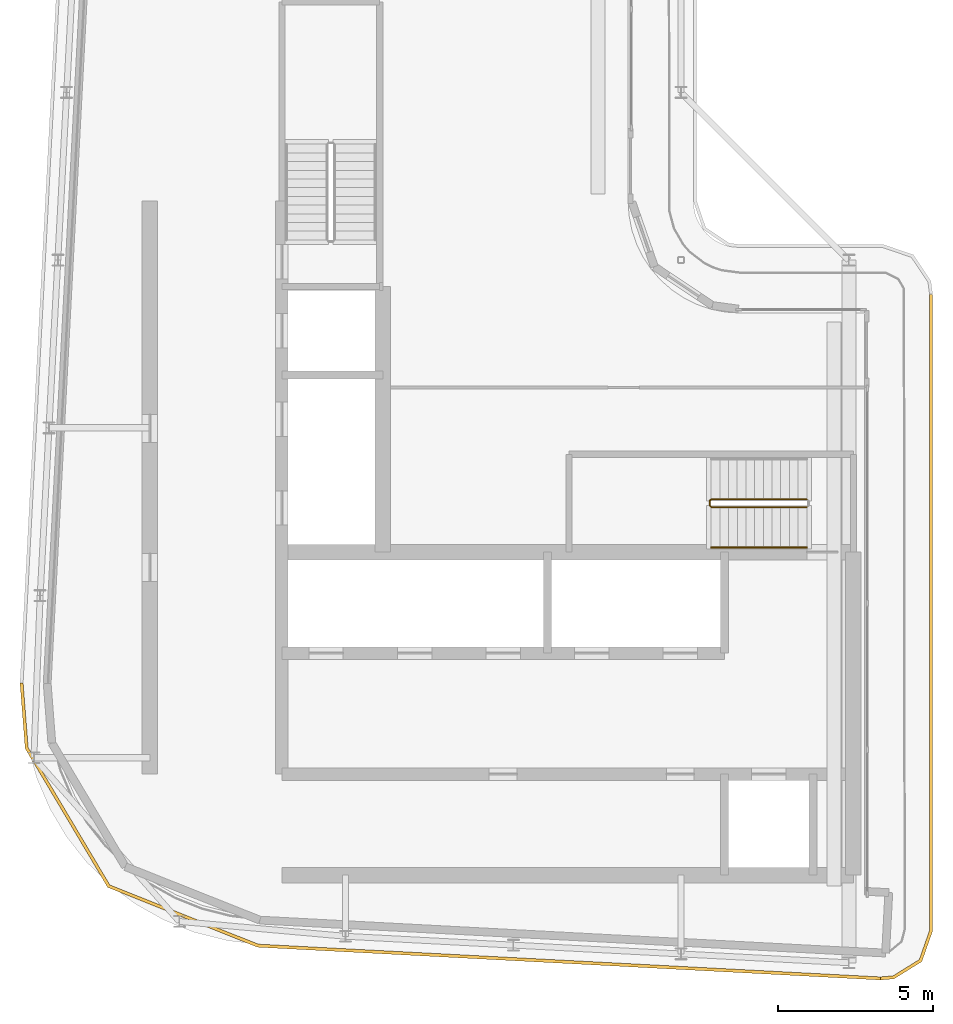
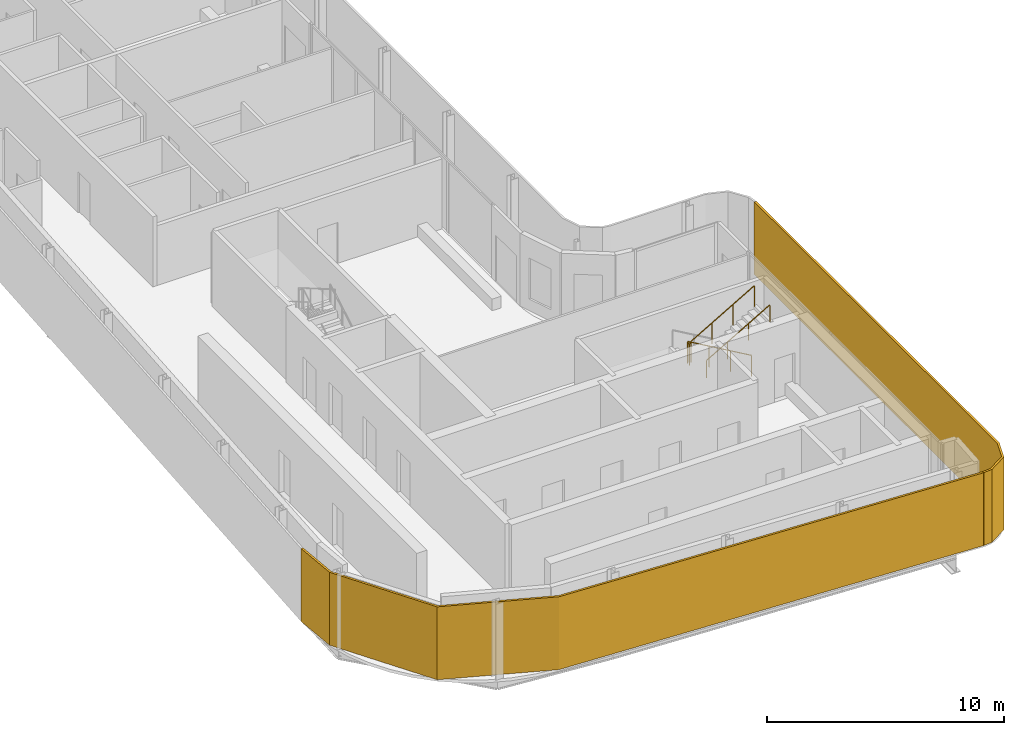
# One storey, part 13 of 18: 2 railings, 2 shading devices.
"""IFC4 building model written with IfcOpenShell, lengths in metres."""

from ifc_helpers import new_model, si_unit, direction, frame, origin, origin_2d, place, context, subcontext, project, spatial, polyline, circle, outline, extrude, material, layer, layer_set, type_object, element, save


model = new_model("IFC4")

# Units and contexts
model_context = context("Model", 3, precision=1e-05, world=origin(), true_north=direction((0.0, 1.0)))
body_context = subcontext(model_context, "Body", "Model", "MODEL_VIEW")
ifc_project = project(units=[si_unit("LENGTHUNIT", "METRE"), si_unit("AREAUNIT", "SQUARE_METRE"), si_unit("VOLUMEUNIT", "CUBIC_METRE"), si_unit("PLANEANGLEUNIT", "RADIAN"), si_unit("MASSUNIT", "GRAM", prefix="KILO")], contexts=[model_context])

# Site, building, storey
site_placement = place(None, origin())
site = spatial("IfcSite", under=ifc_project, at=site_placement, CompositionType="ELEMENT")
building_placement = place(site_placement, origin())
building = spatial("IfcBuilding", under=site, at=building_placement, Name="Kheshtan School and Residences Tower", CompositionType="ELEMENT")
storey_placement = place(building_placement, frame((0.0, 0.0, 369.5)))
storey = spatial("IfcBuildingStorey", under=building, at=storey_placement, Name="L87", CompositionType="ELEMENT", Elevation=369.5)

# Shading devices
ifc_material_1 = material(Name="Terracotta baguette, extruded ceramic", Category="masonry")
ifc_layer_1 = layer(ifc_material_1, 0.10009765625)
ifc_layer_set_1 = layer_set([ifc_layer_1], Name="Ledge screen, terracotta baguettes")
shading_device_type_1 = type_object("IfcShadingDeviceType", Name="Ledge screen, terracotta baguettes", PredefinedType="USERDEFINED", material=ifc_layer_set_1)
shading_device_1_placement = place(storey_placement, origin())
element("IfcShadingDevice", 1, at=shading_device_1_placement, inside=storey, type_object=shading_device_type_1, Name="Screen L87 3", ObjectType="BAGUETTE", PredefinedType="USERDEFINED", context=body_context, shape_type="SweptSolid", body=[
    extrude(outline(polyline([(54.02099609375, 22.52490234375), (33.989013671875, 23.580078125), (29.2119140625, 25.486083984375), (26.583984375, 29.906982421875), (26.419921875, 31.989013671875), (26.320068359375, 31.98095703125), (26.486083984375, 29.8759765625), (29.14306640625, 25.406005859375), (33.967041015625, 23.48095703125), (54.01611328125, 22.425048828125), (54.02099609375, 22.52490234375)])), origin(), (0.0, 0.0, 1.0), 3.75),
])
ifc_material_2 = material(Name="Terracotta lattice, extruded ceramic", Category="masonry")
ifc_layer_2 = layer(ifc_material_2, 0.10009765625)
ifc_layer_set_2 = layer_set([ifc_layer_2], Name="Loggia screen, terracotta lattice")
shading_device_type_2 = type_object("IfcShadingDeviceType", Name="Loggia screen, terracotta lattice", PredefinedType="USERDEFINED", material=ifc_layer_set_2)
shading_device_2_placement = place(storey_placement, origin())
element("IfcShadingDevice", 2, at=shading_device_2_placement, inside=storey, type_object=shading_device_type_2, Name="Screen L87 2", ObjectType="SCREEN", PredefinedType="USERDEFINED", context=body_context, shape_type="SweptSolid", body=[
    extrude(outline(polyline([(55.60009765625, 44.5), (55.60009765625, 24.02294921875), (55.27001953125, 23.083984375), (54.424072265625, 22.55908203125), (54.02099609375, 22.52490234375), (54.029052734375, 22.425048828125), (54.4560546875, 22.4609375), (55.35302734375, 23.01806640625), (55.699951171875, 24.006103515625), (55.699951171875, 44.5), (55.60009765625, 44.5)])), origin(), (0.0, 0.0, 1.0), 3.75),
])

# Railings
ifc_material_3 = material(Name="Stainless steel balustrade", Category="steel")
railing_type_1 = type_object("IfcRailingType", Name="Stair guard 1100", PredefinedType="GUARDRAIL", material=ifc_material_3)
railing_1_placement = place(storey_placement, frame((51.64990234375, 37.89990234375, 0.16259765625)))
element("IfcRailing", 3, at=railing_1_placement, inside=storey, type_object=railing_type_1, Name="L87 ST1 stair guard 1", PredefinedType="GUARDRAIL", context=body_context, shape_type="SweptSolid", body=[
    extrude(circle(Radius=0.02392578125, at=origin_2d()), frame((0.0, 0.0, 1.076171875), z_axis=(-0.864903211148, 0.0, 0.501938676878), x_axis=(0.0, -1.0, 0.0)), (0.0, 0.0, 1.0), 3.560791015625),
    extrude(circle(Radius=0.02392578125, at=origin_2d()), frame((-3.079833984375, 0.0, 2.86328125), z_axis=(-0.708833529934, -0.705375805398, 0.0), x_axis=(0.705375805398, -0.708833529934, 0.0)), (0.0, 0.0, 1.0), 0.070556640625),
    extrude(circle(Radius=0.02392578125, at=origin_2d()), frame((-3.1298828125, -0.0498046875, 2.86328125), z_axis=(0.0, -1.0, 0.0), x_axis=(1.0, 0.0, 0.0)), (0.0, 0.0, 1.0), 0.150146484375),
    extrude(circle(Radius=0.02392578125, at=origin_2d()), frame((-3.1298828125, -0.199951171875, 2.86328125), z_axis=(0.282227285176, -0.282227285176, 0.916894497205), x_axis=(0.707106781187, 0.707106781187, 0.0)), (0.0, 0.0, 1.0), 0.17724609375),
    extrude(circle(Radius=0.02392578125, at=origin_2d()), frame((-3.079833984375, -0.25, 3.02587890625), z_axis=(0.864903211148, 0.0, 0.501938676878), x_axis=(0.0, 1.0, 0.0)), (0.0, 0.0, 1.0), 3.560791015625),
    extrude(circle(Radius=0.02099609375, at=origin_2d()), origin(), (0.0, 0.0, 1.0), 1.052001953125),
    extrude(circle(Radius=0.02099609375, at=origin_2d()), frame((-1.026611328125, 0.0, 0.595703125)), (0.0, 0.0, 1.0), 1.052001953125),
    extrude(circle(Radius=0.02099609375, at=origin_2d()), frame((-2.05322265625, 0.0, 1.191650390625)), (0.0, 0.0, 1.0), 1.052001953125),
    extrude(circle(Radius=0.02099609375, at=origin_2d()), frame((-3.079833984375, 0.0, 1.787353515625)), (0.0, 0.0, 1.0), 1.052001953125),
    extrude(circle(Radius=0.02099609375, at=origin_2d()), frame((-3.1298828125, -0.0498046875, 1.787353515625)), (0.0, 0.0, 1.0), 1.052001953125),
    extrude(circle(Radius=0.02099609375, at=origin_2d()), frame((-3.1298828125, -0.199951171875, 1.787353515625)), (0.0, 0.0, 1.0), 1.052001953125),
    extrude(circle(Radius=0.02099609375, at=origin_2d()), frame((-3.079833984375, -0.25, 1.949951171875)), (0.0, 0.0, 1.0), 1.052001953125),
    extrude(circle(Radius=0.02099609375, at=origin_2d()), frame((-2.05322265625, -0.25, 2.545654296875)), (0.0, 0.0, 1.0), 1.052001953125),
    extrude(circle(Radius=0.02099609375, at=origin_2d()), frame((-1.026611328125, -0.25, 3.1416015625)), (0.0, 0.0, 1.0), 1.052001953125),
    extrude(circle(Radius=0.02099609375, at=origin_2d()), frame((0.0, -0.25, 3.7373046875)), (0.0, 0.0, 1.0), 1.052001953125),
])
ifc_material_4 = material(Name="Stainless steel handrail", Category="steel")
railing_type_2 = type_object("IfcRailingType", Name="Stair handrail 900", PredefinedType="HANDRAIL", material=ifc_material_4)
railing_2_placement = place(storey_placement, frame((48.570068359375, 36.35009765625, 2.112548828125)))
element("IfcRailing", 4, at=railing_2_placement, inside=storey, type_object=railing_type_2, Name="L87 ST1 stair handrail 2", PredefinedType="HANDRAIL", context=body_context, shape_type="SweptSolid", body=[
    extrude(circle(Radius=0.02392578125, at=origin_2d()), frame((0.0, 0.0, 0.8759765625), z_axis=(0.864903211148, 0.0, 0.501938676878), x_axis=(0.0, 1.0, 0.0)), (0.0, 0.0, 1.0), 3.560791015625),
    extrude(circle(Radius=0.02099609375, at=origin_2d()), origin(), (0.0, 0.0, 1.0), 0.851806640625),
    extrude(circle(Radius=0.02099609375, at=origin_2d()), frame((1.026611328125, 0.0, 0.595703125)), (0.0, 0.0, 1.0), 0.851806640625),
    extrude(circle(Radius=0.02099609375, at=origin_2d()), frame((2.05322265625, 0.0, 1.191650390625)), (0.0, 0.0, 1.0), 0.851806640625),
    extrude(circle(Radius=0.02099609375, at=origin_2d()), frame((3.079833984375, 0.0, 1.787353515625)), (0.0, 0.0, 1.0), 0.851806640625),
])

save(model, "model.ifc")
